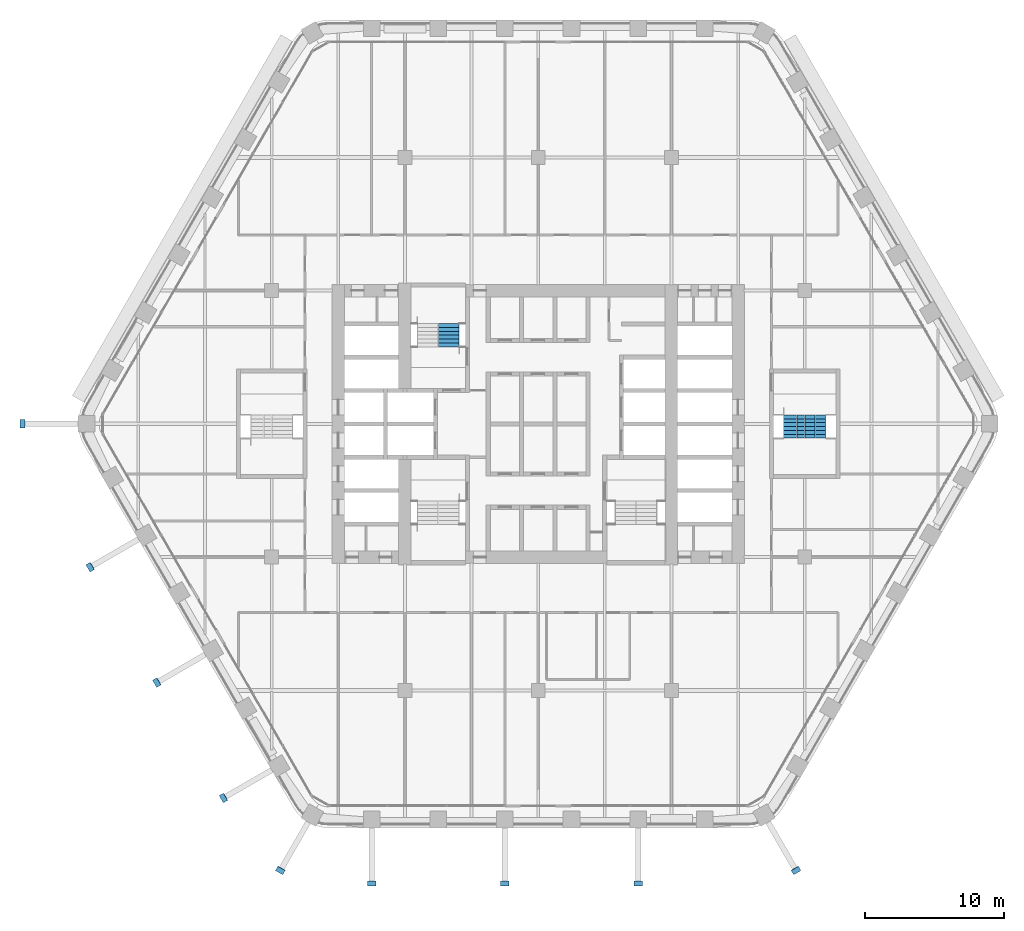
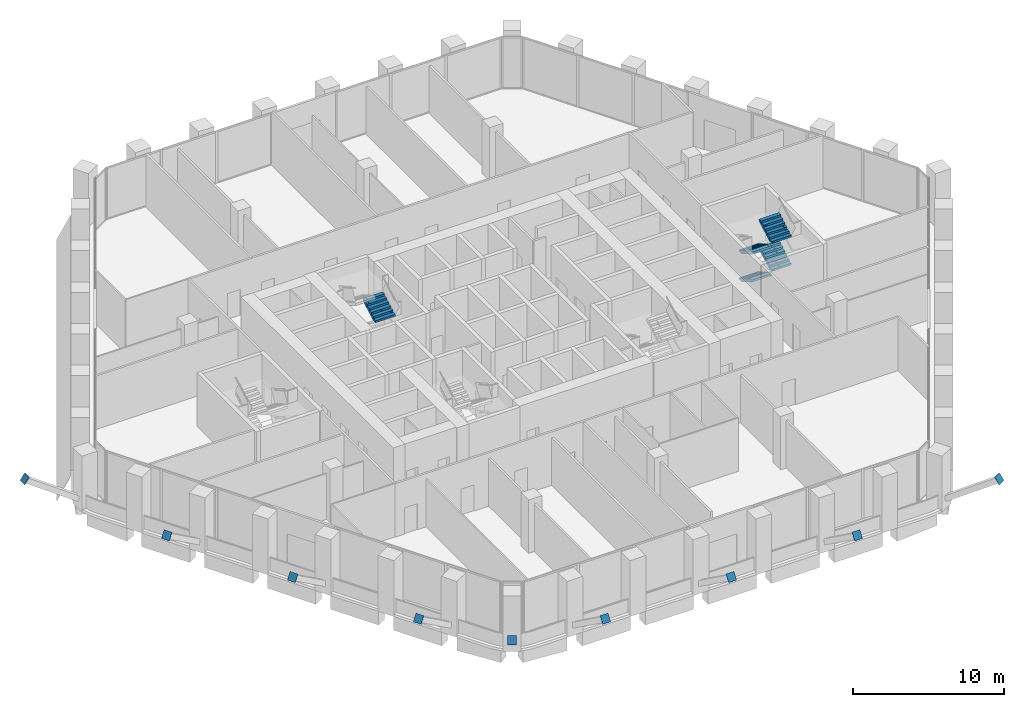
# One storey, part 23 of 26: 9 discrete accessories, 5 stair flights, 2 elements without a shape of their own.
"""IFC4 building model written with IfcOpenShell, lengths in metres."""

from ifc_helpers import new_model, si_unit, direction, frame, origin, origin_2d, place, context, subcontext, project, spatial, polyline, rectangle, outline, extrude, material, type_object, element, aggregate, save


model = new_model("IFC4")

# Units and contexts
model_context = context("Model", 3, precision=1e-05, world=origin(), true_north=direction((0.0, 1.0)))
body_context = subcontext(model_context, "Body", "Model", "MODEL_VIEW")
ifc_project = project(units=[si_unit("LENGTHUNIT", "METRE"), si_unit("AREAUNIT", "SQUARE_METRE"), si_unit("VOLUMEUNIT", "CUBIC_METRE"), si_unit("PLANEANGLEUNIT", "RADIAN"), si_unit("MASSUNIT", "GRAM", prefix="KILO")], contexts=[model_context])

# Site, building, storey
site_placement = place(None, origin())
site = spatial("IfcSite", under=ifc_project, at=site_placement, CompositionType="ELEMENT")
building_placement = place(site_placement, origin())
building = spatial("IfcBuilding", under=site, at=building_placement, Name="Kolab Exchange Tower", CompositionType="ELEMENT")
storey_placement = place(building_placement, frame((0.0, 0.0, 104.89990234375)))
storey = spatial("IfcBuildingStorey", under=building, at=storey_placement, Name="L20", CompositionType="ELEMENT", Elevation=104.89990234375)

# Stair, stair flight
ifc_material = material(Name="Concrete C50/60", Category="concrete")
stair_type_1 = type_object("IfcStairType", Name="STAIR ST1 RISER 160.7", PredefinedType="DOUBLE_RETURN_STAIR", material=ifc_material)
stair_1_placement = place(storey_placement, origin())
stair_1 = element("IfcStair", 1, at=stair_1_placement, inside=storey, type_object=stair_type_1, Name="Stair 1", PredefinedType="DOUBLE_RETURN_STAIR")
stair_flight_type = type_object("IfcStairFlightType", Name="STAIR FLIGHT 1500 RISER 160.7", PredefinedType="STRAIGHT", material=ifc_material)
stair_flight_1_placement = place(storey_placement, frame((-6.43994140625, 5.550048828125, 2.25), z_axis=(0.0, 0.0, 1.0), x_axis=(0.0, 1.0, 0.0)))
stair_flight_1 = element("IfcStairFlight", 2, at=stair_flight_1_placement, type_object=stair_flight_type, Name="ST1 flight 3", NumberOfRisers=7, NumberOfTreads=6, PredefinedType="STRAIGHT", RiserHeight=0.160714286, TreadLength=0.28, context=body_context, shape_type="SweptSolid", body=[
    extrude(outline(polyline([(0.0, 0.0), (0.0, 0.16064453125), (0.280029296875, 0.16064453125), (0.280029296875, 0.321533203125), (0.56005859375, 0.321533203125), (0.56005859375, 0.482177734375), (0.840087890625, 0.482177734375), (0.840087890625, 0.642822265625), (1.1201171875, 0.642822265625), (1.1201171875, 0.803466796875), (1.39990234375, 0.803466796875), (1.39990234375, 0.96435546875), (1.679931640625, 0.96435546875), (1.679931640625, 1.125), (1.679931640625, 0.79150390625), (0.301025390625, 0.0), (0.0, 0.0)])), frame((0.0, 0.75, 0.0), z_axis=(0.0, -1.0, 0.0), x_axis=(1.0, 0.0, 0.0)), (0.0, 0.0, 1.0), 0.185791015625),
    extrude(outline(polyline([(0.0, 0.0), (0.0, 0.16064453125), (0.280029296875, 0.16064453125), (0.280029296875, 0.321533203125), (0.56005859375, 0.321533203125), (0.56005859375, 0.482177734375), (0.840087890625, 0.482177734375), (0.840087890625, 0.642822265625), (1.1201171875, 0.642822265625), (1.1201171875, 0.803466796875), (1.39990234375, 0.803466796875), (1.39990234375, 0.96435546875), (1.679931640625, 0.96435546875), (1.679931640625, 1.125), (1.679931640625, 0.79150390625), (0.301025390625, 0.0), (0.0, 0.0)])), frame((0.0, 0.562255859375, 0.0), z_axis=(0.0, -1.0, 0.0), x_axis=(1.0, 0.0, 0.0)), (0.0, 0.0, 1.0), 0.185791015625),
    extrude(outline(polyline([(0.0, 0.0), (0.0, 0.16064453125), (0.280029296875, 0.16064453125), (0.280029296875, 0.321533203125), (0.56005859375, 0.321533203125), (0.56005859375, 0.482177734375), (0.840087890625, 0.482177734375), (0.840087890625, 0.642822265625), (1.1201171875, 0.642822265625), (1.1201171875, 0.803466796875), (1.39990234375, 0.803466796875), (1.39990234375, 0.96435546875), (1.679931640625, 0.96435546875), (1.679931640625, 1.125), (1.679931640625, 0.79150390625), (0.301025390625, 0.0), (0.0, 0.0)])), frame((0.0, 0.37451171875, 0.0), z_axis=(0.0, -1.0, 0.0), x_axis=(1.0, 0.0, 0.0)), (0.0, 0.0, 1.0), 0.185791015625),
    extrude(outline(polyline([(0.0, 0.0), (0.0, 0.16064453125), (0.280029296875, 0.16064453125), (0.280029296875, 0.321533203125), (0.56005859375, 0.321533203125), (0.56005859375, 0.482177734375), (0.840087890625, 0.482177734375), (0.840087890625, 0.642822265625), (1.1201171875, 0.642822265625), (1.1201171875, 0.803466796875), (1.39990234375, 0.803466796875), (1.39990234375, 0.96435546875), (1.679931640625, 0.96435546875), (1.679931640625, 1.125), (1.679931640625, 0.79150390625), (0.301025390625, 0.0), (0.0, 0.0)])), frame((0.0, 0.186767578125, 0.0), z_axis=(0.0, -1.0, 0.0), x_axis=(1.0, 0.0, 0.0)), (0.0, 0.0, 1.0), 0.185791015625),
    extrude(outline(polyline([(0.0, 0.0), (0.0, 0.16064453125), (0.280029296875, 0.16064453125), (0.280029296875, 0.321533203125), (0.56005859375, 0.321533203125), (0.56005859375, 0.482177734375), (0.840087890625, 0.482177734375), (0.840087890625, 0.642822265625), (1.1201171875, 0.642822265625), (1.1201171875, 0.803466796875), (1.39990234375, 0.803466796875), (1.39990234375, 0.96435546875), (1.679931640625, 0.96435546875), (1.679931640625, 1.125), (1.679931640625, 0.79150390625), (0.301025390625, 0.0), (0.0, 0.0)])), frame((0.0, -0.0009765625, 0.0), z_axis=(0.0, -1.0, 0.0), x_axis=(1.0, 0.0, 0.0)), (0.0, 0.0, 1.0), 0.185791015625),
    extrude(outline(polyline([(0.0, 0.0), (0.0, 0.16064453125), (0.280029296875, 0.16064453125), (0.280029296875, 0.321533203125), (0.56005859375, 0.321533203125), (0.56005859375, 0.482177734375), (0.840087890625, 0.482177734375), (0.840087890625, 0.642822265625), (1.1201171875, 0.642822265625), (1.1201171875, 0.803466796875), (1.39990234375, 0.803466796875), (1.39990234375, 0.96435546875), (1.679931640625, 0.96435546875), (1.679931640625, 1.125), (1.679931640625, 0.79150390625), (0.301025390625, 0.0), (0.0, 0.0)])), frame((0.0, -0.188720703125, 0.0), z_axis=(0.0, -1.0, 0.0), x_axis=(1.0, 0.0, 0.0)), (0.0, 0.0, 1.0), 0.185791015625),
    extrude(outline(polyline([(0.0, 0.0), (0.0, 0.16064453125), (0.280029296875, 0.16064453125), (0.280029296875, 0.321533203125), (0.56005859375, 0.321533203125), (0.56005859375, 0.482177734375), (0.840087890625, 0.482177734375), (0.840087890625, 0.642822265625), (1.1201171875, 0.642822265625), (1.1201171875, 0.803466796875), (1.39990234375, 0.803466796875), (1.39990234375, 0.96435546875), (1.679931640625, 0.96435546875), (1.679931640625, 1.125), (1.679931640625, 0.79150390625), (0.301025390625, 0.0), (0.0, 0.0)])), frame((0.0, -0.37646484375, 0.0), z_axis=(0.0, -1.0, 0.0), x_axis=(1.0, 0.0, 0.0)), (0.0, 0.0, 1.0), 0.185791015625),
    extrude(outline(polyline([(0.0, 0.0), (0.0, 0.16064453125), (0.280029296875, 0.16064453125), (0.280029296875, 0.321533203125), (0.56005859375, 0.321533203125), (0.56005859375, 0.482177734375), (0.840087890625, 0.482177734375), (0.840087890625, 0.642822265625), (1.1201171875, 0.642822265625), (1.1201171875, 0.803466796875), (1.39990234375, 0.803466796875), (1.39990234375, 0.96435546875), (1.679931640625, 0.96435546875), (1.679931640625, 1.125), (1.679931640625, 0.79150390625), (0.301025390625, 0.0), (0.0, 0.0)])), frame((0.0, -0.564208984375, 0.0), z_axis=(0.0, -1.0, 0.0), x_axis=(1.0, 0.0, 0.0)), (0.0, 0.0, 1.0), 0.185791015625),
])
aggregate(stair_1, [stair_flight_1])

# Stair, stair flights
stair_type_2 = type_object("IfcStairType", Name="STAIR ST4 RISER 160.7", PredefinedType="DOUBLE_RETURN_STAIR", material=ifc_material)
stair_2_placement = place(storey_placement, origin())
stair_2 = element("IfcStair", 3, at=stair_2_placement, inside=storey, type_object=stair_type_2, Name="Stair 4", PredefinedType="DOUBLE_RETURN_STAIR")
stair_flight_2_placement = place(storey_placement, frame((18.43994140625, 0.64990234375, 0.0), z_axis=(0.0, 0.0, 1.0), x_axis=(0.0, -1.0, 0.0)))
stair_flight_2 = element("IfcStairFlight", 4, at=stair_flight_2_placement, type_object=stair_flight_type, Name="ST4 flight 1", NumberOfRisers=7, NumberOfTreads=6, PredefinedType="STRAIGHT", RiserHeight=0.160714286, TreadLength=0.28, context=body_context, shape_type="SweptSolid", body=[
    extrude(outline(polyline([(0.0, 0.0), (0.0, 0.16064453125), (0.280029296875, 0.16064453125), (0.280029296875, 0.321533203125), (0.56005859375, 0.321533203125), (0.56005859375, 0.482177734375), (0.840087890625, 0.482177734375), (0.840087890625, 0.642822265625), (1.1201171875, 0.642822265625), (1.1201171875, 0.803466796875), (1.39990234375, 0.803466796875), (1.39990234375, 0.96435546875), (1.679931640625, 0.96435546875), (1.679931640625, 1.125), (1.679931640625, 0.79150390625), (0.301025390625, 0.0), (0.0, 0.0)])), frame((0.0, 0.75, 0.0), z_axis=(0.0, -1.0, 0.0), x_axis=(1.0, 0.0, 0.0)), (0.0, 0.0, 1.0), 0.185791015625),
    extrude(outline(polyline([(0.0, 0.0), (0.0, 0.16064453125), (0.280029296875, 0.16064453125), (0.280029296875, 0.321533203125), (0.56005859375, 0.321533203125), (0.56005859375, 0.482177734375), (0.840087890625, 0.482177734375), (0.840087890625, 0.642822265625), (1.1201171875, 0.642822265625), (1.1201171875, 0.803466796875), (1.39990234375, 0.803466796875), (1.39990234375, 0.96435546875), (1.679931640625, 0.96435546875), (1.679931640625, 1.125), (1.679931640625, 0.79150390625), (0.301025390625, 0.0), (0.0, 0.0)])), frame((0.0, 0.562255859375, 0.0), z_axis=(0.0, -1.0, 0.0), x_axis=(1.0, 0.0, 0.0)), (0.0, 0.0, 1.0), 0.185791015625),
    extrude(outline(polyline([(0.0, 0.0), (0.0, 0.16064453125), (0.280029296875, 0.16064453125), (0.280029296875, 0.321533203125), (0.56005859375, 0.321533203125), (0.56005859375, 0.482177734375), (0.840087890625, 0.482177734375), (0.840087890625, 0.642822265625), (1.1201171875, 0.642822265625), (1.1201171875, 0.803466796875), (1.39990234375, 0.803466796875), (1.39990234375, 0.96435546875), (1.679931640625, 0.96435546875), (1.679931640625, 1.125), (1.679931640625, 0.79150390625), (0.301025390625, 0.0), (0.0, 0.0)])), frame((0.0, 0.37451171875, 0.0), z_axis=(0.0, -1.0, 0.0), x_axis=(1.0, 0.0, 0.0)), (0.0, 0.0, 1.0), 0.185791015625),
    extrude(outline(polyline([(0.0, 0.0), (0.0, 0.16064453125), (0.280029296875, 0.16064453125), (0.280029296875, 0.321533203125), (0.56005859375, 0.321533203125), (0.56005859375, 0.482177734375), (0.840087890625, 0.482177734375), (0.840087890625, 0.642822265625), (1.1201171875, 0.642822265625), (1.1201171875, 0.803466796875), (1.39990234375, 0.803466796875), (1.39990234375, 0.96435546875), (1.679931640625, 0.96435546875), (1.679931640625, 1.125), (1.679931640625, 0.79150390625), (0.301025390625, 0.0), (0.0, 0.0)])), frame((0.0, 0.186767578125, 0.0), z_axis=(0.0, -1.0, 0.0), x_axis=(1.0, 0.0, 0.0)), (0.0, 0.0, 1.0), 0.185791015625),
    extrude(outline(polyline([(0.0, 0.0), (0.0, 0.16064453125), (0.280029296875, 0.16064453125), (0.280029296875, 0.321533203125), (0.56005859375, 0.321533203125), (0.56005859375, 0.482177734375), (0.840087890625, 0.482177734375), (0.840087890625, 0.642822265625), (1.1201171875, 0.642822265625), (1.1201171875, 0.803466796875), (1.39990234375, 0.803466796875), (1.39990234375, 0.96435546875), (1.679931640625, 0.96435546875), (1.679931640625, 1.125), (1.679931640625, 0.79150390625), (0.301025390625, 0.0), (0.0, 0.0)])), frame((0.0, -0.0009765625, 0.0), z_axis=(0.0, -1.0, 0.0), x_axis=(1.0, 0.0, 0.0)), (0.0, 0.0, 1.0), 0.185791015625),
    extrude(outline(polyline([(0.0, 0.0), (0.0, 0.16064453125), (0.280029296875, 0.16064453125), (0.280029296875, 0.321533203125), (0.56005859375, 0.321533203125), (0.56005859375, 0.482177734375), (0.840087890625, 0.482177734375), (0.840087890625, 0.642822265625), (1.1201171875, 0.642822265625), (1.1201171875, 0.803466796875), (1.39990234375, 0.803466796875), (1.39990234375, 0.96435546875), (1.679931640625, 0.96435546875), (1.679931640625, 1.125), (1.679931640625, 0.79150390625), (0.301025390625, 0.0), (0.0, 0.0)])), frame((0.0, -0.188720703125, 0.0), z_axis=(0.0, -1.0, 0.0), x_axis=(1.0, 0.0, 0.0)), (0.0, 0.0, 1.0), 0.185791015625),
    extrude(outline(polyline([(0.0, 0.0), (0.0, 0.16064453125), (0.280029296875, 0.16064453125), (0.280029296875, 0.321533203125), (0.56005859375, 0.321533203125), (0.56005859375, 0.482177734375), (0.840087890625, 0.482177734375), (0.840087890625, 0.642822265625), (1.1201171875, 0.642822265625), (1.1201171875, 0.803466796875), (1.39990234375, 0.803466796875), (1.39990234375, 0.96435546875), (1.679931640625, 0.96435546875), (1.679931640625, 1.125), (1.679931640625, 0.79150390625), (0.301025390625, 0.0), (0.0, 0.0)])), frame((0.0, -0.37646484375, 0.0), z_axis=(0.0, -1.0, 0.0), x_axis=(1.0, 0.0, 0.0)), (0.0, 0.0, 1.0), 0.185791015625),
    extrude(outline(polyline([(0.0, 0.0), (0.0, 0.16064453125), (0.280029296875, 0.16064453125), (0.280029296875, 0.321533203125), (0.56005859375, 0.321533203125), (0.56005859375, 0.482177734375), (0.840087890625, 0.482177734375), (0.840087890625, 0.642822265625), (1.1201171875, 0.642822265625), (1.1201171875, 0.803466796875), (1.39990234375, 0.803466796875), (1.39990234375, 0.96435546875), (1.679931640625, 0.96435546875), (1.679931640625, 1.125), (1.679931640625, 0.79150390625), (0.301025390625, 0.0), (0.0, 0.0)])), frame((0.0, -0.564208984375, 0.0), z_axis=(0.0, -1.0, 0.0), x_axis=(1.0, 0.0, 0.0)), (0.0, 0.0, 1.0), 0.185791015625),
])
stair_flight_3_placement = place(storey_placement, frame((19.9599609375, -1.030029296875, 1.125), z_axis=(0.0, 0.0, 1.0), x_axis=(0.0, 1.0, 0.0)))
stair_flight_3 = element("IfcStairFlight", 5, at=stair_flight_3_placement, type_object=stair_flight_type, Name="ST4 flight 2", NumberOfRisers=7, NumberOfTreads=6, PredefinedType="STRAIGHT", RiserHeight=0.160714286, TreadLength=0.28, context=body_context, shape_type="SweptSolid", body=[
    extrude(outline(polyline([(0.0, 0.0), (0.0, 0.16064453125), (0.280029296875, 0.16064453125), (0.280029296875, 0.321533203125), (0.56005859375, 0.321533203125), (0.56005859375, 0.482177734375), (0.840087890625, 0.482177734375), (0.840087890625, 0.642822265625), (1.1201171875, 0.642822265625), (1.1201171875, 0.803466796875), (1.39990234375, 0.803466796875), (1.39990234375, 0.96435546875), (1.679931640625, 0.96435546875), (1.679931640625, 1.125), (1.679931640625, 0.79150390625), (0.301025390625, 0.0), (0.0, 0.0)])), frame((0.0, 0.75, 0.0), z_axis=(0.0, -1.0, 0.0), x_axis=(1.0, 0.0, 0.0)), (0.0, 0.0, 1.0), 0.185791015625),
    extrude(outline(polyline([(0.0, 0.0), (0.0, 0.16064453125), (0.280029296875, 0.16064453125), (0.280029296875, 0.321533203125), (0.56005859375, 0.321533203125), (0.56005859375, 0.482177734375), (0.840087890625, 0.482177734375), (0.840087890625, 0.642822265625), (1.1201171875, 0.642822265625), (1.1201171875, 0.803466796875), (1.39990234375, 0.803466796875), (1.39990234375, 0.96435546875), (1.679931640625, 0.96435546875), (1.679931640625, 1.125), (1.679931640625, 0.79150390625), (0.301025390625, 0.0), (0.0, 0.0)])), frame((0.0, 0.562255859375, 0.0), z_axis=(0.0, -1.0, 0.0), x_axis=(1.0, 0.0, 0.0)), (0.0, 0.0, 1.0), 0.185791015625),
    extrude(outline(polyline([(0.0, 0.0), (0.0, 0.16064453125), (0.280029296875, 0.16064453125), (0.280029296875, 0.321533203125), (0.56005859375, 0.321533203125), (0.56005859375, 0.482177734375), (0.840087890625, 0.482177734375), (0.840087890625, 0.642822265625), (1.1201171875, 0.642822265625), (1.1201171875, 0.803466796875), (1.39990234375, 0.803466796875), (1.39990234375, 0.96435546875), (1.679931640625, 0.96435546875), (1.679931640625, 1.125), (1.679931640625, 0.79150390625), (0.301025390625, 0.0), (0.0, 0.0)])), frame((0.0, 0.37451171875, 0.0), z_axis=(0.0, -1.0, 0.0), x_axis=(1.0, 0.0, 0.0)), (0.0, 0.0, 1.0), 0.185791015625),
    extrude(outline(polyline([(0.0, 0.0), (0.0, 0.16064453125), (0.280029296875, 0.16064453125), (0.280029296875, 0.321533203125), (0.56005859375, 0.321533203125), (0.56005859375, 0.482177734375), (0.840087890625, 0.482177734375), (0.840087890625, 0.642822265625), (1.1201171875, 0.642822265625), (1.1201171875, 0.803466796875), (1.39990234375, 0.803466796875), (1.39990234375, 0.96435546875), (1.679931640625, 0.96435546875), (1.679931640625, 1.125), (1.679931640625, 0.79150390625), (0.301025390625, 0.0), (0.0, 0.0)])), frame((0.0, 0.186767578125, 0.0), z_axis=(0.0, -1.0, 0.0), x_axis=(1.0, 0.0, 0.0)), (0.0, 0.0, 1.0), 0.185791015625),
    extrude(outline(polyline([(0.0, 0.0), (0.0, 0.16064453125), (0.280029296875, 0.16064453125), (0.280029296875, 0.321533203125), (0.56005859375, 0.321533203125), (0.56005859375, 0.482177734375), (0.840087890625, 0.482177734375), (0.840087890625, 0.642822265625), (1.1201171875, 0.642822265625), (1.1201171875, 0.803466796875), (1.39990234375, 0.803466796875), (1.39990234375, 0.96435546875), (1.679931640625, 0.96435546875), (1.679931640625, 1.125), (1.679931640625, 0.79150390625), (0.301025390625, 0.0), (0.0, 0.0)])), frame((0.0, -0.0009765625, 0.0), z_axis=(0.0, -1.0, 0.0), x_axis=(1.0, 0.0, 0.0)), (0.0, 0.0, 1.0), 0.185791015625),
    extrude(outline(polyline([(0.0, 0.0), (0.0, 0.16064453125), (0.280029296875, 0.16064453125), (0.280029296875, 0.321533203125), (0.56005859375, 0.321533203125), (0.56005859375, 0.482177734375), (0.840087890625, 0.482177734375), (0.840087890625, 0.642822265625), (1.1201171875, 0.642822265625), (1.1201171875, 0.803466796875), (1.39990234375, 0.803466796875), (1.39990234375, 0.96435546875), (1.679931640625, 0.96435546875), (1.679931640625, 1.125), (1.679931640625, 0.79150390625), (0.301025390625, 0.0), (0.0, 0.0)])), frame((0.0, -0.188720703125, 0.0), z_axis=(0.0, -1.0, 0.0), x_axis=(1.0, 0.0, 0.0)), (0.0, 0.0, 1.0), 0.185791015625),
    extrude(outline(polyline([(0.0, 0.0), (0.0, 0.16064453125), (0.280029296875, 0.16064453125), (0.280029296875, 0.321533203125), (0.56005859375, 0.321533203125), (0.56005859375, 0.482177734375), (0.840087890625, 0.482177734375), (0.840087890625, 0.642822265625), (1.1201171875, 0.642822265625), (1.1201171875, 0.803466796875), (1.39990234375, 0.803466796875), (1.39990234375, 0.96435546875), (1.679931640625, 0.96435546875), (1.679931640625, 1.125), (1.679931640625, 0.79150390625), (0.301025390625, 0.0), (0.0, 0.0)])), frame((0.0, -0.37646484375, 0.0), z_axis=(0.0, -1.0, 0.0), x_axis=(1.0, 0.0, 0.0)), (0.0, 0.0, 1.0), 0.185791015625),
    extrude(outline(polyline([(0.0, 0.0), (0.0, 0.16064453125), (0.280029296875, 0.16064453125), (0.280029296875, 0.321533203125), (0.56005859375, 0.321533203125), (0.56005859375, 0.482177734375), (0.840087890625, 0.482177734375), (0.840087890625, 0.642822265625), (1.1201171875, 0.642822265625), (1.1201171875, 0.803466796875), (1.39990234375, 0.803466796875), (1.39990234375, 0.96435546875), (1.679931640625, 0.96435546875), (1.679931640625, 1.125), (1.679931640625, 0.79150390625), (0.301025390625, 0.0), (0.0, 0.0)])), frame((0.0, -0.564208984375, 0.0), z_axis=(0.0, -1.0, 0.0), x_axis=(1.0, 0.0, 0.0)), (0.0, 0.0, 1.0), 0.185791015625),
])
stair_flight_4_placement = place(storey_placement, frame((18.43994140625, 0.64990234375, 2.25), z_axis=(0.0, 0.0, 1.0), x_axis=(0.0, -1.0, 0.0)))
stair_flight_4 = element("IfcStairFlight", 6, at=stair_flight_4_placement, type_object=stair_flight_type, Name="ST4 flight 3", NumberOfRisers=7, NumberOfTreads=6, PredefinedType="STRAIGHT", RiserHeight=0.160714286, TreadLength=0.28, context=body_context, shape_type="SweptSolid", body=[
    extrude(outline(polyline([(0.0, 0.0), (0.0, 0.16064453125), (0.280029296875, 0.16064453125), (0.280029296875, 0.321533203125), (0.56005859375, 0.321533203125), (0.56005859375, 0.482177734375), (0.840087890625, 0.482177734375), (0.840087890625, 0.642822265625), (1.1201171875, 0.642822265625), (1.1201171875, 0.803466796875), (1.39990234375, 0.803466796875), (1.39990234375, 0.96435546875), (1.679931640625, 0.96435546875), (1.679931640625, 1.125), (1.679931640625, 0.79150390625), (0.301025390625, 0.0), (0.0, 0.0)])), frame((0.0, 0.75, 0.0), z_axis=(0.0, -1.0, 0.0), x_axis=(1.0, 0.0, 0.0)), (0.0, 0.0, 1.0), 0.185791015625),
    extrude(outline(polyline([(0.0, 0.0), (0.0, 0.16064453125), (0.280029296875, 0.16064453125), (0.280029296875, 0.321533203125), (0.56005859375, 0.321533203125), (0.56005859375, 0.482177734375), (0.840087890625, 0.482177734375), (0.840087890625, 0.642822265625), (1.1201171875, 0.642822265625), (1.1201171875, 0.803466796875), (1.39990234375, 0.803466796875), (1.39990234375, 0.96435546875), (1.679931640625, 0.96435546875), (1.679931640625, 1.125), (1.679931640625, 0.79150390625), (0.301025390625, 0.0), (0.0, 0.0)])), frame((0.0, 0.562255859375, 0.0), z_axis=(0.0, -1.0, 0.0), x_axis=(1.0, 0.0, 0.0)), (0.0, 0.0, 1.0), 0.185791015625),
    extrude(outline(polyline([(0.0, 0.0), (0.0, 0.16064453125), (0.280029296875, 0.16064453125), (0.280029296875, 0.321533203125), (0.56005859375, 0.321533203125), (0.56005859375, 0.482177734375), (0.840087890625, 0.482177734375), (0.840087890625, 0.642822265625), (1.1201171875, 0.642822265625), (1.1201171875, 0.803466796875), (1.39990234375, 0.803466796875), (1.39990234375, 0.96435546875), (1.679931640625, 0.96435546875), (1.679931640625, 1.125), (1.679931640625, 0.79150390625), (0.301025390625, 0.0), (0.0, 0.0)])), frame((0.0, 0.37451171875, 0.0), z_axis=(0.0, -1.0, 0.0), x_axis=(1.0, 0.0, 0.0)), (0.0, 0.0, 1.0), 0.185791015625),
    extrude(outline(polyline([(0.0, 0.0), (0.0, 0.16064453125), (0.280029296875, 0.16064453125), (0.280029296875, 0.321533203125), (0.56005859375, 0.321533203125), (0.56005859375, 0.482177734375), (0.840087890625, 0.482177734375), (0.840087890625, 0.642822265625), (1.1201171875, 0.642822265625), (1.1201171875, 0.803466796875), (1.39990234375, 0.803466796875), (1.39990234375, 0.96435546875), (1.679931640625, 0.96435546875), (1.679931640625, 1.125), (1.679931640625, 0.79150390625), (0.301025390625, 0.0), (0.0, 0.0)])), frame((0.0, 0.186767578125, 0.0), z_axis=(0.0, -1.0, 0.0), x_axis=(1.0, 0.0, 0.0)), (0.0, 0.0, 1.0), 0.185791015625),
    extrude(outline(polyline([(0.0, 0.0), (0.0, 0.16064453125), (0.280029296875, 0.16064453125), (0.280029296875, 0.321533203125), (0.56005859375, 0.321533203125), (0.56005859375, 0.482177734375), (0.840087890625, 0.482177734375), (0.840087890625, 0.642822265625), (1.1201171875, 0.642822265625), (1.1201171875, 0.803466796875), (1.39990234375, 0.803466796875), (1.39990234375, 0.96435546875), (1.679931640625, 0.96435546875), (1.679931640625, 1.125), (1.679931640625, 0.79150390625), (0.301025390625, 0.0), (0.0, 0.0)])), frame((0.0, -0.0009765625, 0.0), z_axis=(0.0, -1.0, 0.0), x_axis=(1.0, 0.0, 0.0)), (0.0, 0.0, 1.0), 0.185791015625),
    extrude(outline(polyline([(0.0, 0.0), (0.0, 0.16064453125), (0.280029296875, 0.16064453125), (0.280029296875, 0.321533203125), (0.56005859375, 0.321533203125), (0.56005859375, 0.482177734375), (0.840087890625, 0.482177734375), (0.840087890625, 0.642822265625), (1.1201171875, 0.642822265625), (1.1201171875, 0.803466796875), (1.39990234375, 0.803466796875), (1.39990234375, 0.96435546875), (1.679931640625, 0.96435546875), (1.679931640625, 1.125), (1.679931640625, 0.79150390625), (0.301025390625, 0.0), (0.0, 0.0)])), frame((0.0, -0.188720703125, 0.0), z_axis=(0.0, -1.0, 0.0), x_axis=(1.0, 0.0, 0.0)), (0.0, 0.0, 1.0), 0.185791015625),
    extrude(outline(polyline([(0.0, 0.0), (0.0, 0.16064453125), (0.280029296875, 0.16064453125), (0.280029296875, 0.321533203125), (0.56005859375, 0.321533203125), (0.56005859375, 0.482177734375), (0.840087890625, 0.482177734375), (0.840087890625, 0.642822265625), (1.1201171875, 0.642822265625), (1.1201171875, 0.803466796875), (1.39990234375, 0.803466796875), (1.39990234375, 0.96435546875), (1.679931640625, 0.96435546875), (1.679931640625, 1.125), (1.679931640625, 0.79150390625), (0.301025390625, 0.0), (0.0, 0.0)])), frame((0.0, -0.37646484375, 0.0), z_axis=(0.0, -1.0, 0.0), x_axis=(1.0, 0.0, 0.0)), (0.0, 0.0, 1.0), 0.185791015625),
    extrude(outline(polyline([(0.0, 0.0), (0.0, 0.16064453125), (0.280029296875, 0.16064453125), (0.280029296875, 0.321533203125), (0.56005859375, 0.321533203125), (0.56005859375, 0.482177734375), (0.840087890625, 0.482177734375), (0.840087890625, 0.642822265625), (1.1201171875, 0.642822265625), (1.1201171875, 0.803466796875), (1.39990234375, 0.803466796875), (1.39990234375, 0.96435546875), (1.679931640625, 0.96435546875), (1.679931640625, 1.125), (1.679931640625, 0.79150390625), (0.301025390625, 0.0), (0.0, 0.0)])), frame((0.0, -0.564208984375, 0.0), z_axis=(0.0, -1.0, 0.0), x_axis=(1.0, 0.0, 0.0)), (0.0, 0.0, 1.0), 0.185791015625),
])
stair_flight_5_placement = place(storey_placement, frame((19.9599609375, -1.030029296875, 3.375), z_axis=(0.0, 0.0, 1.0), x_axis=(0.0, 1.0, 0.0)))
stair_flight_5 = element("IfcStairFlight", 7, at=stair_flight_5_placement, type_object=stair_flight_type, Name="ST4 flight 4", NumberOfRisers=7, NumberOfTreads=6, PredefinedType="STRAIGHT", RiserHeight=0.160714286, TreadLength=0.28, context=body_context, shape_type="SweptSolid", body=[
    extrude(outline(polyline([(0.0, 0.0), (0.0, 0.16064453125), (0.280029296875, 0.16064453125), (0.280029296875, 0.321533203125), (0.56005859375, 0.321533203125), (0.56005859375, 0.482177734375), (0.840087890625, 0.482177734375), (0.840087890625, 0.642822265625), (1.1201171875, 0.642822265625), (1.1201171875, 0.803466796875), (1.39990234375, 0.803466796875), (1.39990234375, 0.96435546875), (1.679931640625, 0.96435546875), (1.679931640625, 1.125), (1.679931640625, 0.79150390625), (0.301025390625, 0.0), (0.0, 0.0)])), frame((0.0, 0.75, 0.0), z_axis=(0.0, -1.0, 0.0), x_axis=(1.0, 0.0, 0.0)), (0.0, 0.0, 1.0), 0.185791015625),
    extrude(outline(polyline([(0.0, 0.0), (0.0, 0.16064453125), (0.280029296875, 0.16064453125), (0.280029296875, 0.321533203125), (0.56005859375, 0.321533203125), (0.56005859375, 0.482177734375), (0.840087890625, 0.482177734375), (0.840087890625, 0.642822265625), (1.1201171875, 0.642822265625), (1.1201171875, 0.803466796875), (1.39990234375, 0.803466796875), (1.39990234375, 0.96435546875), (1.679931640625, 0.96435546875), (1.679931640625, 1.125), (1.679931640625, 0.79150390625), (0.301025390625, 0.0), (0.0, 0.0)])), frame((0.0, 0.562255859375, 0.0), z_axis=(0.0, -1.0, 0.0), x_axis=(1.0, 0.0, 0.0)), (0.0, 0.0, 1.0), 0.185791015625),
    extrude(outline(polyline([(0.0, 0.0), (0.0, 0.16064453125), (0.280029296875, 0.16064453125), (0.280029296875, 0.321533203125), (0.56005859375, 0.321533203125), (0.56005859375, 0.482177734375), (0.840087890625, 0.482177734375), (0.840087890625, 0.642822265625), (1.1201171875, 0.642822265625), (1.1201171875, 0.803466796875), (1.39990234375, 0.803466796875), (1.39990234375, 0.96435546875), (1.679931640625, 0.96435546875), (1.679931640625, 1.125), (1.679931640625, 0.79150390625), (0.301025390625, 0.0), (0.0, 0.0)])), frame((0.0, 0.37451171875, 0.0), z_axis=(0.0, -1.0, 0.0), x_axis=(1.0, 0.0, 0.0)), (0.0, 0.0, 1.0), 0.185791015625),
    extrude(outline(polyline([(0.0, 0.0), (0.0, 0.16064453125), (0.280029296875, 0.16064453125), (0.280029296875, 0.321533203125), (0.56005859375, 0.321533203125), (0.56005859375, 0.482177734375), (0.840087890625, 0.482177734375), (0.840087890625, 0.642822265625), (1.1201171875, 0.642822265625), (1.1201171875, 0.803466796875), (1.39990234375, 0.803466796875), (1.39990234375, 0.96435546875), (1.679931640625, 0.96435546875), (1.679931640625, 1.125), (1.679931640625, 0.79150390625), (0.301025390625, 0.0), (0.0, 0.0)])), frame((0.0, 0.186767578125, 0.0), z_axis=(0.0, -1.0, 0.0), x_axis=(1.0, 0.0, 0.0)), (0.0, 0.0, 1.0), 0.185791015625),
    extrude(outline(polyline([(0.0, 0.0), (0.0, 0.16064453125), (0.280029296875, 0.16064453125), (0.280029296875, 0.321533203125), (0.56005859375, 0.321533203125), (0.56005859375, 0.482177734375), (0.840087890625, 0.482177734375), (0.840087890625, 0.642822265625), (1.1201171875, 0.642822265625), (1.1201171875, 0.803466796875), (1.39990234375, 0.803466796875), (1.39990234375, 0.96435546875), (1.679931640625, 0.96435546875), (1.679931640625, 1.125), (1.679931640625, 0.79150390625), (0.301025390625, 0.0), (0.0, 0.0)])), frame((0.0, -0.0009765625, 0.0), z_axis=(0.0, -1.0, 0.0), x_axis=(1.0, 0.0, 0.0)), (0.0, 0.0, 1.0), 0.185791015625),
    extrude(outline(polyline([(0.0, 0.0), (0.0, 0.16064453125), (0.280029296875, 0.16064453125), (0.280029296875, 0.321533203125), (0.56005859375, 0.321533203125), (0.56005859375, 0.482177734375), (0.840087890625, 0.482177734375), (0.840087890625, 0.642822265625), (1.1201171875, 0.642822265625), (1.1201171875, 0.803466796875), (1.39990234375, 0.803466796875), (1.39990234375, 0.96435546875), (1.679931640625, 0.96435546875), (1.679931640625, 1.125), (1.679931640625, 0.79150390625), (0.301025390625, 0.0), (0.0, 0.0)])), frame((0.0, -0.188720703125, 0.0), z_axis=(0.0, -1.0, 0.0), x_axis=(1.0, 0.0, 0.0)), (0.0, 0.0, 1.0), 0.185791015625),
    extrude(outline(polyline([(0.0, 0.0), (0.0, 0.16064453125), (0.280029296875, 0.16064453125), (0.280029296875, 0.321533203125), (0.56005859375, 0.321533203125), (0.56005859375, 0.482177734375), (0.840087890625, 0.482177734375), (0.840087890625, 0.642822265625), (1.1201171875, 0.642822265625), (1.1201171875, 0.803466796875), (1.39990234375, 0.803466796875), (1.39990234375, 0.96435546875), (1.679931640625, 0.96435546875), (1.679931640625, 1.125), (1.679931640625, 0.79150390625), (0.301025390625, 0.0), (0.0, 0.0)])), frame((0.0, -0.37646484375, 0.0), z_axis=(0.0, -1.0, 0.0), x_axis=(1.0, 0.0, 0.0)), (0.0, 0.0, 1.0), 0.185791015625),
    extrude(outline(polyline([(0.0, 0.0), (0.0, 0.16064453125), (0.280029296875, 0.16064453125), (0.280029296875, 0.321533203125), (0.56005859375, 0.321533203125), (0.56005859375, 0.482177734375), (0.840087890625, 0.482177734375), (0.840087890625, 0.642822265625), (1.1201171875, 0.642822265625), (1.1201171875, 0.803466796875), (1.39990234375, 0.803466796875), (1.39990234375, 0.96435546875), (1.679931640625, 0.96435546875), (1.679931640625, 1.125), (1.679931640625, 0.79150390625), (0.301025390625, 0.0), (0.0, 0.0)])), frame((0.0, -0.564208984375, 0.0), z_axis=(0.0, -1.0, 0.0), x_axis=(1.0, 0.0, 0.0)), (0.0, 0.0, 1.0), 0.185791015625),
])
aggregate(stair_2, [stair_flight_2, stair_flight_3, stair_flight_4, stair_flight_5])

# Discrete accessories
discrete_accessory_1_placement = place(storey_placement, frame((18.56787109375, -32.16064453125, 3.51806640625), z_axis=(0.400787566766, -0.703822068467, 0.586518390389), x_axis=(0.868984891377, 0.494838618701, 0.0)))
element("IfcDiscreteAccessory", 8, at=discrete_accessory_1_placement, inside=storey, Name="Gusset plate", ObjectType="GUSSET PLATE", PredefinedType="USERDEFINED", context=body_context, shape_type="SweptSolid", body=[
    extrude(rectangle(XDim=0.60009765625, YDim=0.60009765625, at=origin_2d()), origin(), (0.0, 0.0, 1.0), 0.02490234375),
])
for number, where, z_axis, x_axis, name in (
    (9, (7.199951171875, -33.098388671875, 3.51806640625), (0.0, -0.813733471207, 0.581238193719), (1.0, 0.0, 0.0), "Gusset plate"),
    (10, (-2.39990234375, -33.098388671875, 3.51806640625), (0.0, -0.813733471207, 0.581238193719), (1.0, 0.0, 0.0), "Gusset plate"),
    (11, (-12.0, -33.098388671875, 3.51806640625), (0.0, -0.813733471207, 0.581238193719), (1.0, 0.0, 0.0), "Gusset plate"),
):
    element("IfcDiscreteAccessory", number, at=place(storey_placement, frame(where, z_axis=z_axis, x_axis=x_axis)), inside=storey, Name=name, ObjectType="GUSSET PLATE", PredefinedType="USERDEFINED", context=body_context, shape_type="SweptSolid", body=[
        extrude(rectangle(XDim=0.60009765625, YDim=0.60009765625, at=origin_2d()), origin(), (0.0, 0.0, 1.0), 0.025146484375),
    ])
discrete_accessory_2_placement = place(storey_placement, frame((-18.56787109375, -32.16064453125, 3.51806640625), z_axis=(-0.400787566766, -0.703822068467, 0.586518390389), x_axis=(0.868984891377, -0.494838618701, 0.0)))
element("IfcDiscreteAccessory", 12, at=discrete_accessory_2_placement, inside=storey, Name="Gusset plate", ObjectType="GUSSET PLATE", PredefinedType="USERDEFINED", context=body_context, shape_type="SweptSolid", body=[
    extrude(rectangle(XDim=0.60009765625, YDim=0.60009765625, at=origin_2d()), origin(), (0.0, 0.0, 1.0), 0.02490234375),
])
discrete_accessory_3_placement = place(storey_placement, frame((-22.6640625, -26.94140625, 3.51806640625), z_axis=(-0.701047485404, -0.408944366486, 0.584206237837), x_axis=(0.503871025524, -0.863778900898, 0.0)))
element("IfcDiscreteAccessory", 13, at=discrete_accessory_3_placement, inside=storey, Name="Gusset plate", ObjectType="GUSSET PLATE", PredefinedType="USERDEFINED", context=body_context, shape_type="SweptSolid", body=[
    extrude(rectangle(XDim=0.60009765625, YDim=0.60009765625, at=origin_2d()), origin(), (0.0, 0.0, 1.0), 0.025146484375),
])
discrete_accessory_4_placement = place(storey_placement, frame((-27.464111328125, -18.627685546875, 3.51806640625), z_axis=(-0.703822068467, -0.400787566766, 0.586518390389), x_axis=(0.494838618701, -0.868984891377, 0.0)))
element("IfcDiscreteAccessory", 14, at=discrete_accessory_4_placement, inside=storey, Name="Gusset plate", ObjectType="GUSSET PLATE", PredefinedType="USERDEFINED", context=body_context, shape_type="SweptSolid", body=[
    extrude(rectangle(XDim=0.60009765625, YDim=0.60009765625, at=origin_2d()), origin(), (0.0, 0.0, 1.0), 0.02490234375),
])
discrete_accessory_5_placement = place(storey_placement, frame((-32.26416015625, -10.313720703125, 3.51806640625), z_axis=(-0.701047485404, -0.408944366486, 0.584206237837), x_axis=(0.503871025524, -0.863778900898, 0.0)))
element("IfcDiscreteAccessory", 15, at=discrete_accessory_5_placement, inside=storey, Name="Gusset plate", ObjectType="GUSSET PLATE", PredefinedType="USERDEFINED", context=body_context, shape_type="SweptSolid", body=[
    extrude(rectangle(XDim=0.60009765625, YDim=0.60009765625, at=origin_2d()), origin(), (0.0, 0.0, 1.0), 0.025146484375),
])
discrete_accessory_6_placement = place(storey_placement, frame((-37.135986328125, 0.0, 3.51806640625), z_axis=(-0.810421678379, 0.0, 0.585846996419), x_axis=(0.0, -1.0, 0.0)))
element("IfcDiscreteAccessory", 16, at=discrete_accessory_6_placement, inside=storey, Name="Gusset plate", ObjectType="GUSSET PLATE", PredefinedType="USERDEFINED", context=body_context, shape_type="SweptSolid", body=[
    extrude(rectangle(XDim=0.60009765625, YDim=0.60009765625, at=origin_2d()), origin(), (0.0, 0.0, 1.0), 0.02490234375),
])

save(model, "model.ifc")
